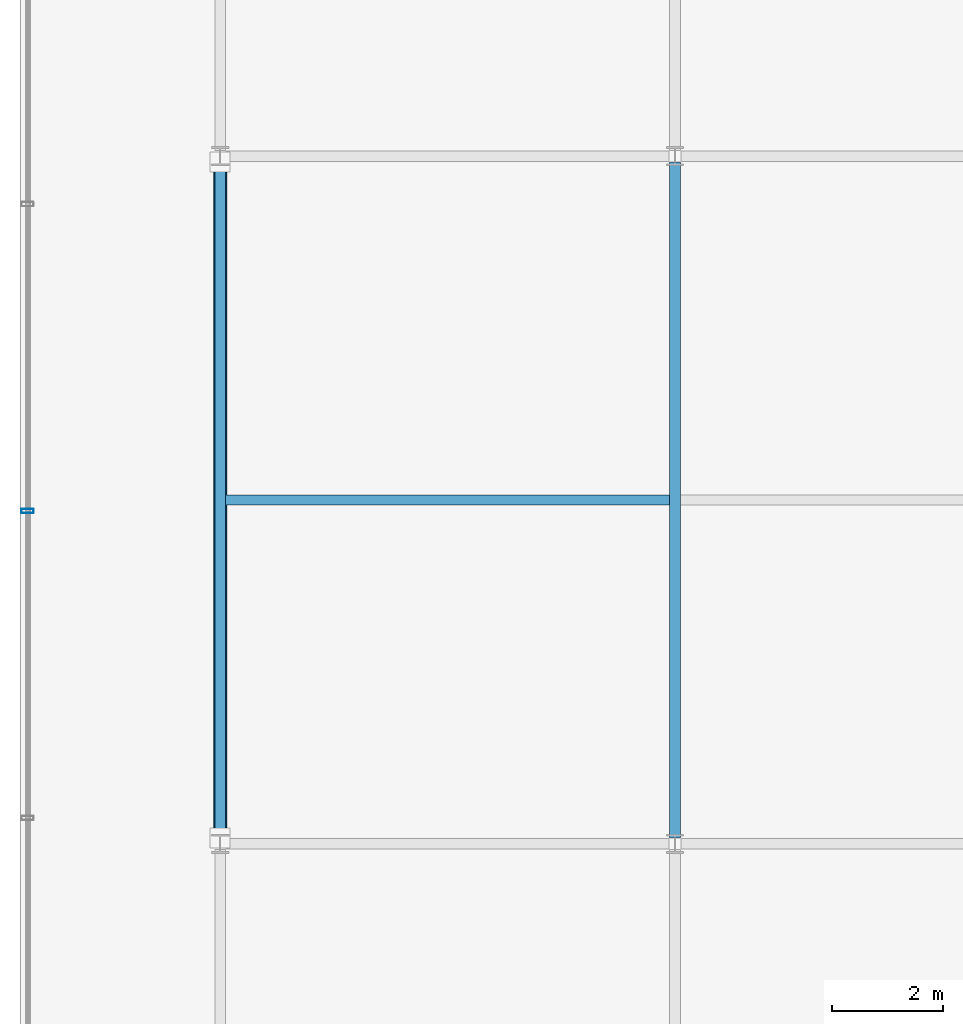
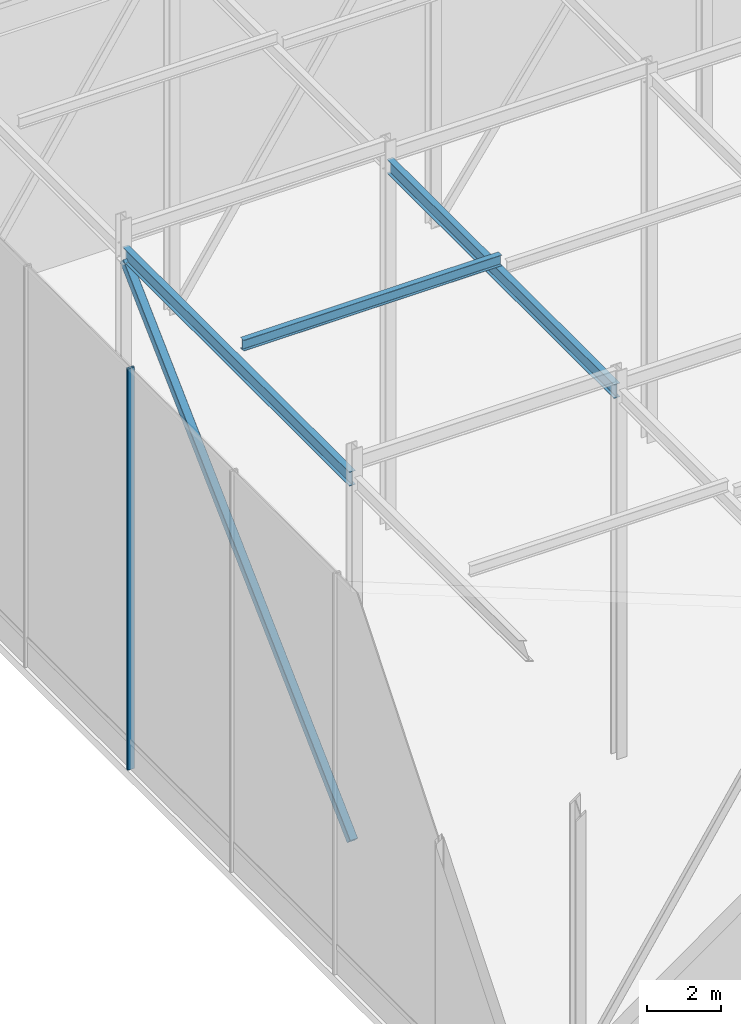
# One storey, part 11 of 39: 3 beams, 2 members, 1 element without a shape of its own.
"""IFC4 building model written with IfcOpenShell, lengths in metres."""

from ifc_helpers import new_model, si_unit, direction, frame, origin, origin_2d, place, context, subcontext, project, spatial, hollow_rectangle, i_section, extrude, material, layer, layer_set, material_profile, profile_set, type_object, element, aggregate, save


model = new_model("IFC4")

# Units and contexts
model_context = context("Model", 3, precision=1e-05, world=origin(), true_north=direction((0.0, 1.0)))
body_context = subcontext(model_context, "Body", "Model", "MODEL_VIEW")
ifc_project = project(units=[si_unit("LENGTHUNIT", "METRE"), si_unit("AREAUNIT", "SQUARE_METRE"), si_unit("VOLUMEUNIT", "CUBIC_METRE"), si_unit("PLANEANGLEUNIT", "RADIAN"), si_unit("MASSUNIT", "GRAM", prefix="KILO")], contexts=[model_context])

# Site, building, storey
site_placement = place(None, origin())
site = spatial("IfcSite", under=ifc_project, at=site_placement, CompositionType="ELEMENT")
building_placement = place(site_placement, origin())
building = spatial("IfcBuilding", under=site, at=building_placement, Name="Korimba Cascade Residences", CompositionType="ELEMENT")
storey_placement = place(building_placement, frame((0.0, 0.0, 264.199951171875)))
storey = spatial("IfcBuildingStorey", under=building, at=storey_placement, Name="RF", CompositionType="ELEMENT", Elevation=264.199951171875)

# Beams
ifc_material_1 = material(Name="Steel S355", Category="steel")
ifc_material_profile_1 = material_profile(ifc_material_1, i_section(OverallWidth=0.172119140625, OverallDepth=0.35791015625, WebThickness=0.008056640625, FlangeThickness=0.012939453125, FilletRadius=0.01025390625, at=origin_2d()), Name="Steel S355")
ifc_profile_set_1 = profile_set([ifc_material_profile_1], Name="Steel S355")
beam_type_1 = type_object("IfcBeamType", Name="BM-STL-UB356", PredefinedType="JOIST", material=ifc_profile_set_1)
beam_placement = place(storey_placement, frame((59.89990234375, 73.39990234375, 12.53271484375), z_axis=(1.0, 0.0, 0.0), x_axis=(0.0, 1.0, 0.0)))
element("IfcBeam", 1, at=beam_placement, inside=storey, type_object=beam_type_1, Name="RF Crown Cap Joist W2.1", PredefinedType="JOIST", context=body_context, shape_type="SweptSolid", body=[
    extrude(i_section(OverallWidth=0.172119140625, OverallDepth=0.35791015625, WebThickness=0.008056640625, FlangeThickness=0.012939453125, FilletRadius=0.01025390625, at=origin_2d()), origin(), (0.0, 0.0, 1.0), 8.0),
])
ifc_material_profile_2 = material_profile(ifc_material_1, i_section(OverallWidth=0.19140625, OverallDepth=0.4599609375, WebThickness=0.010009765625, FlangeThickness=0.01611328125, FilletRadius=0.01025390625, at=origin_2d()), Name="Steel S355")
ifc_profile_set_2 = profile_set([ifc_material_profile_2], Name="Steel S355")
beam_type_2 = type_object("IfcBeamType", Name="BM-STL-UB457", PredefinedType="JOIST", material=ifc_profile_set_2)
for number, where, z_axis, x_axis, name in (
    (2, (59.800048828125, 67.304931640625, 11.86865234375), (0.0, 1.0, 0.0), (-1.0, 0.0, 0.0), "RF Crown Cap Tie Beam W1.2"),
    (3, (68.0, 67.304931640625, 11.86865234375), (0.0, 1.0, 0.0), (-1.0, 0.0, 0.0), "RF Crown Cap Tie Beam W2.2"),
):
    element("IfcBeam", number, at=place(storey_placement, frame(where, z_axis=z_axis, x_axis=x_axis)), inside=storey, type_object=beam_type_2, Name=name, PredefinedType="JOIST", context=body_context, shape_type="SweptSolid", body=[
        extrude(i_section(OverallWidth=0.19140625, OverallDepth=0.4599609375, WebThickness=0.010009765625, FlangeThickness=0.01611328125, FilletRadius=0.01025390625, at=origin_2d()), origin(), (0.0, 0.0, 1.0), 12.190185546875),
    ])

# Curtain wall, member
ifc_material_2 = material(Name="Anodised Aluminium Curtain Wall Framing", Category="aluminium")
ifc_layer = layer(ifc_material_2, 0.179931640625)
ifc_layer_set = layer_set([ifc_layer], Name="Anodised Aluminium Curtain Wall Framing")
curtain_wall_type = type_object("IfcCurtainWallType", Name="CW-CRNW-SYS5", PredefinedType="NOTDEFINED", material=ifc_layer_set)
curtain_wall_placement = place(storey_placement, origin())
curtain_wall = element("IfcCurtainWall", 4, at=curtain_wall_placement, inside=storey, type_object=curtain_wall_type, Name="RF Curtain Wall CW-RF-CRN-W-1", PredefinedType="NOTDEFINED")
ifc_material_3 = material(Name="Anodised Aluminium Mullion", Category="aluminium")
ifc_material_profile_3 = material_profile(ifc_material_3, hollow_rectangle(XDim=0.080078125, YDim=0.219970703125, WallThickness=0.00634765625, InnerFilletRadius=0.00634765625, OuterFilletRadius=0.0126953125, at=origin_2d()), Name="Anodised Aluminium Mullion")
ifc_profile_set_3 = profile_set([ifc_material_profile_3], Name="Anodised Aluminium Mullion")
member_type_1 = type_object("IfcMemberType", Name="CWM-MUL-220", PredefinedType="MULLION", material=ifc_profile_set_3)
member_1_placement = place(storey_placement, frame((56.324951171875, 73.199951171875, 0.0), z_axis=(0.0, 0.0, 1.0), x_axis=(0.0, 1.0, 0.0)))
member_1 = element("IfcMember", 5, at=member_1_placement, type_object=member_type_1, Name="CW-RF-CRN-W-1 Mullion 4", PredefinedType="MULLION", context=body_context, shape_type="SweptSolid", body=[
    extrude(hollow_rectangle(XDim=0.080078125, YDim=0.219970703125, WallThickness=0.00634765625, InnerFilletRadius=0.00634765625, OuterFilletRadius=0.0126953125, at=origin_2d()), origin(), (0.0, 0.0, 1.0), 13.1455078125),
])
aggregate(curtain_wall, [member_1])

# Member
ifc_material_profile_4 = material_profile(ifc_material_1, hollow_rectangle(XDim=0.25, YDim=0.25, WallThickness=0.010009765625, InnerFilletRadius=0.010009765625, OuterFilletRadius=0.02001953125, at=origin_2d()), Name="Steel S355")
ifc_profile_set_4 = profile_set([ifc_material_profile_4], Name="Steel S355")
member_type_2 = type_object("IfcMemberType", Name="MEM-CRN-SHS250", PredefinedType="STRUT", material=ifc_profile_set_4)
member_2_placement = place(storey_placement, frame((59.800048828125, 67.304931640625, 0.0), z_axis=(0.0, 0.723105293086, 0.690737819372), x_axis=(-1.0, 0.0, 0.0)))
element("IfcMember", 6, at=member_2_placement, inside=storey, type_object=member_type_2, Name="RF CROWN FRAME Strut W1", PredefinedType="STRUT", context=body_context, shape_type="SweptSolid", body=[
    extrude(hollow_rectangle(XDim=0.25, YDim=0.25, WallThickness=0.010009765625, InnerFilletRadius=0.010009765625, OuterFilletRadius=0.02001953125, at=origin_2d()), origin(), (0.0, 0.0, 1.0), 16.858154296875),
])

save(model, "model.ifc")
